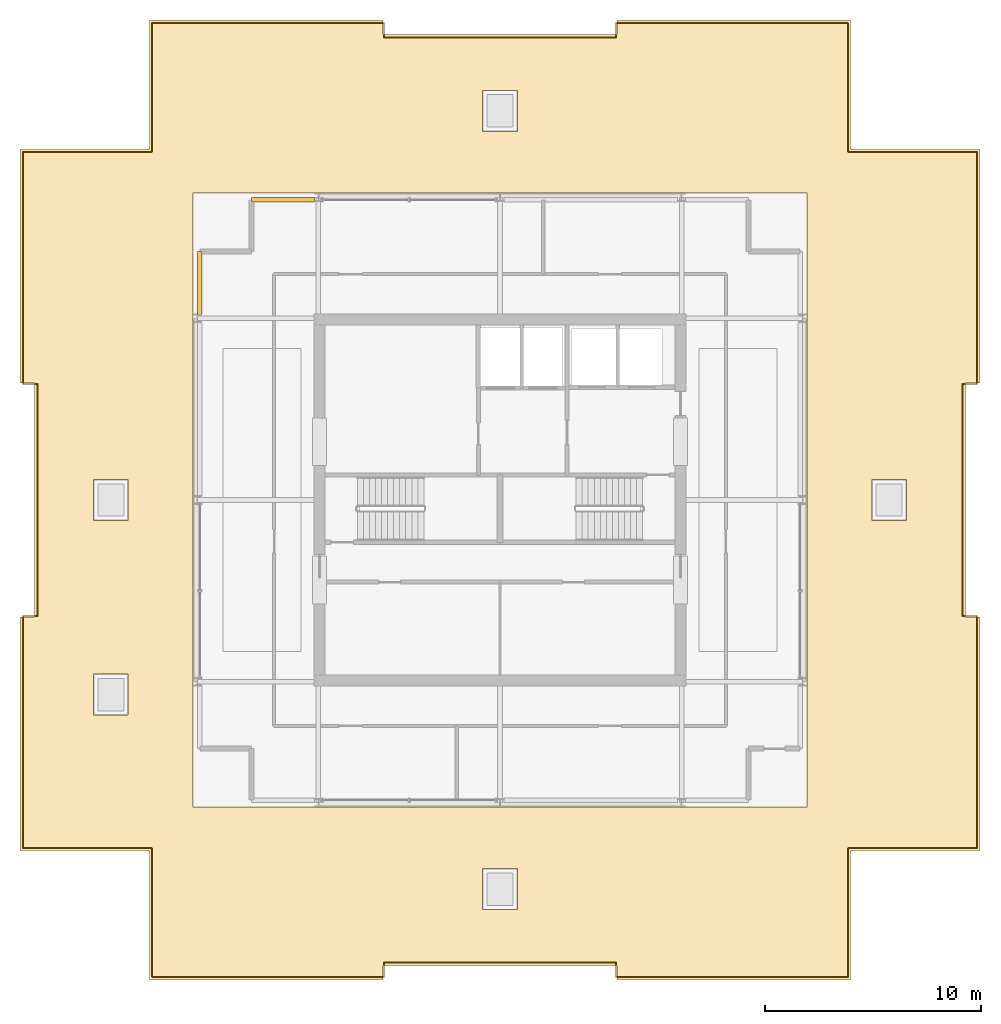
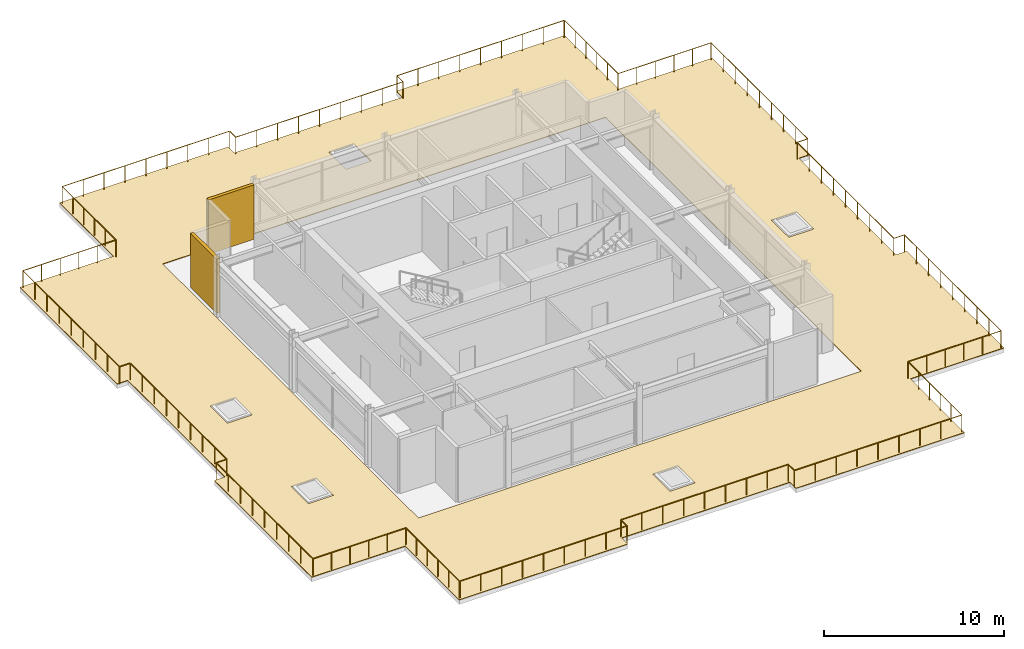
# One storey, part 16 of 17: 2 railings, 2 shading devices, 1 covering.
"""IFC4 building model written with IfcOpenShell, lengths in metres."""

from ifc_helpers import new_model, si_unit, direction, frame, origin, origin_2d, place, context, subcontext, project, spatial, polyline, rectangle, circle, outline, extrude, material, layer, layer_set, type_object, element, save


model = new_model("IFC4")

# Units and contexts
model_context = context("Model", 3, precision=1e-05, world=origin(), true_north=direction((0.0, 1.0)))
body_context = subcontext(model_context, "Body", "Model", "MODEL_VIEW")
ifc_project = project(units=[si_unit("LENGTHUNIT", "METRE"), si_unit("AREAUNIT", "SQUARE_METRE"), si_unit("VOLUMEUNIT", "CUBIC_METRE"), si_unit("PLANEANGLEUNIT", "RADIAN"), si_unit("MASSUNIT", "GRAM", prefix="KILO")], contexts=[model_context])

# Site, building, storey
site_placement = place(None, origin())
site = spatial("IfcSite", under=ifc_project, at=site_placement, CompositionType="ELEMENT")
building_placement = place(site_placement, origin())
building = spatial("IfcBuilding", under=site, at=building_placement, Name="Drelvath Grand Hotel", CompositionType="ELEMENT")
storey_placement = place(building_placement, frame((0.0, 0.0, 311.39990234375)))
storey = spatial("IfcBuildingStorey", under=building, at=storey_placement, Name="L81", CompositionType="ELEMENT", Elevation=311.39990234375)

# Shading devices
ifc_material_1 = material(Name="Platinum-Mist Anodised Aluminium Louvre", Category="aluminium")
ifc_layer_1 = layer(ifc_material_1, 0.199951171875)
ifc_layer_set_1 = layer_set([ifc_layer_1], Name="Platinum-Mist Anodised Aluminium Louvre")
shading_device_type = type_object("IfcShadingDeviceType", Name="Crown Drum Screened Acoustic Louvre 200", PredefinedType="USERDEFINED", material=ifc_layer_set_1)
shading_device_1_placement = place(storey_placement, frame((-13.8798828125, 37.041015625, 0.0), z_axis=(0.0, 0.0, 1.0), x_axis=(0.0, 1.0, 0.0)))
element("IfcShadingDevice", 1, at=shading_device_1_placement, inside=storey, type_object=shading_device_type, Name="L81 Crown Drum Acoustic Louvre W-4", ObjectType="LOUVRE", PredefinedType="USERDEFINED", context=body_context, shape_type="SweptSolid", body=[
    extrude(rectangle(XDim=2.917724609375, YDim=0.199951171875, at=origin_2d()), origin(), (0.0, 0.0, 1.0), 3.679931640625),
])
shading_device_2_placement = place(storey_placement, frame((-10.04150390625, 40.8798828125, 0.0), z_axis=(0.0, 0.0, 1.0), x_axis=(1.0, 0.0, 0.0)))
element("IfcShadingDevice", 2, at=shading_device_2_placement, inside=storey, type_object=shading_device_type, Name="L81 Crown Drum Acoustic Louvre N-1", ObjectType="LOUVRE", PredefinedType="USERDEFINED", context=body_context, shape_type="SweptSolid", body=[
    extrude(rectangle(XDim=2.9169921875, YDim=0.199951171875, at=origin_2d()), origin(), (0.0, 0.0, 1.0), 3.679931640625),
])

# Railings
ifc_material_2 = material(Name="Stainless Steel Grade 316 Guardrail", Category="steel")
railing_type = type_object("IfcRailingType", Name="Open Wind-Slot Perimeter Guardrail 1200", PredefinedType="GUARDRAIL", material=ifc_material_2)
railing_1_placement = place(storey_placement, frame((-16.078857421875, 4.93310546875, 0.0)))
element("IfcRailing", 3, at=railing_1_placement, inside=storey, type_object=railing_type, Name="L81 Setback Roof Perimeter Maintenance Guardrail A", PredefinedType="GUARDRAIL", context=body_context, shape_type="SweptSolid", body=[
    extrude(circle(Radius=0.02392578125, at=origin_2d()), frame((0.0, 0.0, 1.17578125), z_axis=(1.0, 0.0, 0.0), x_axis=(0.0, 1.0, 0.0)), (0.0, 0.0, 1.0), 10.711181640625),
    extrude(circle(Radius=0.02392578125, at=origin_2d()), frame((10.711181640625, 0.0, 1.17578125), z_axis=(0.0, 1.0, 0.0), x_axis=(-1.0, 0.0, 0.0)), (0.0, 0.0, 1.0), 0.676025390625),
    extrude(circle(Radius=0.02392578125, at=origin_2d()), frame((10.711181640625, 0.676025390625, 1.17578125), z_axis=(1.0, 0.0, 0.0), x_axis=(0.0, 1.0, 0.0)), (0.0, 0.0, 1.0), 10.7353515625),
    extrude(circle(Radius=0.02392578125, at=origin_2d()), frame((21.446533203125, 0.676025390625, 1.17578125), z_axis=(0.0, -1.0, 0.0), x_axis=(1.0, 0.0, 0.0)), (0.0, 0.0, 1.0), 0.676025390625),
    extrude(circle(Radius=0.02392578125, at=origin_2d()), frame((21.446533203125, 0.0, 1.17578125), z_axis=(1.0, 0.0, 0.0), x_axis=(0.0, 1.0, 0.0)), (0.0, 0.0, 1.0), 10.735107421875),
    extrude(circle(Radius=0.02392578125, at=origin_2d()), frame((32.181640625, 0.0, 1.17578125), z_axis=(0.0, 1.0, 0.0), x_axis=(-1.0, 0.0, 0.0)), (0.0, 0.0, 1.0), 5.964111328125),
    extrude(circle(Radius=0.02392578125, at=origin_2d()), frame((32.181640625, 5.964111328125, 1.17578125), z_axis=(1.0, 0.0, 0.0), x_axis=(0.0, 1.0, 0.0)), (0.0, 0.0, 1.0), 5.964111328125),
    extrude(circle(Radius=0.02392578125, at=origin_2d()), frame((38.145751953125, 5.964111328125, 1.17578125), z_axis=(0.0, 1.0, 0.0), x_axis=(-1.0, 0.0, 0.0)), (0.0, 0.0, 1.0), 10.735107421875),
    extrude(circle(Radius=0.02392578125, at=origin_2d()), frame((38.145751953125, 16.69921875, 1.17578125), z_axis=(-1.0, 0.0, 0.0), x_axis=(0.0, -1.0, 0.0)), (0.0, 0.0, 1.0), 0.676025390625),
    extrude(circle(Radius=0.02392578125, at=origin_2d()), frame((37.4697265625, 16.69921875, 1.17578125), z_axis=(0.0, 1.0, 0.0), x_axis=(-1.0, 0.0, 0.0)), (0.0, 0.0, 1.0), 10.7353515625),
    extrude(circle(Radius=0.02392578125, at=origin_2d()), frame((37.4697265625, 27.4345703125, 1.17578125), z_axis=(1.0, 0.0, 0.0), x_axis=(0.0, 1.0, 0.0)), (0.0, 0.0, 1.0), 0.676025390625),
    extrude(circle(Radius=0.02392578125, at=origin_2d()), frame((38.145751953125, 27.4345703125, 1.17578125), z_axis=(0.0, 1.0, 0.0), x_axis=(-1.0, 0.0, 0.0)), (0.0, 0.0, 1.0), 10.735107421875),
    extrude(circle(Radius=0.02392578125, at=origin_2d()), frame((38.145751953125, 38.169677734375, 1.17578125), z_axis=(-1.0, 0.0, 0.0), x_axis=(0.0, -1.0, 0.0)), (0.0, 0.0, 1.0), 5.964111328125),
    extrude(circle(Radius=0.02392578125, at=origin_2d()), frame((32.181640625, 38.169677734375, 1.17578125), z_axis=(0.0, 1.0, 0.0), x_axis=(-1.0, 0.0, 0.0)), (0.0, 0.0, 1.0), 5.93994140625),
    extrude(circle(Radius=0.02099609375, at=origin_2d()), origin(), (0.0, 0.0, 1.0), 1.15185546875),
    extrude(circle(Radius=0.02099609375, at=origin_2d()), frame((1.3388671875, 0.0, 0.0)), (0.0, 0.0, 1.0), 1.15185546875),
    extrude(circle(Radius=0.02099609375, at=origin_2d()), frame((2.677734375, 0.0, 0.0)), (0.0, 0.0, 1.0), 1.15185546875),
    extrude(circle(Radius=0.02099609375, at=origin_2d()), frame((4.0166015625, 0.0, 0.0)), (0.0, 0.0, 1.0), 1.15185546875),
    extrude(circle(Radius=0.02099609375, at=origin_2d()), frame((5.35546875, 0.0, 0.0)), (0.0, 0.0, 1.0), 1.15185546875),
    extrude(circle(Radius=0.02099609375, at=origin_2d()), frame((6.694580078125, 0.0, 0.0)), (0.0, 0.0, 1.0), 1.15185546875),
    extrude(circle(Radius=0.02099609375, at=origin_2d()), frame((8.033447265625, 0.0, 0.0)), (0.0, 0.0, 1.0), 1.15185546875),
    extrude(circle(Radius=0.02099609375, at=origin_2d()), frame((9.372314453125, 0.0, 0.0)), (0.0, 0.0, 1.0), 1.15185546875),
    extrude(circle(Radius=0.02099609375, at=origin_2d()), frame((10.711181640625, 0.0, 0.0)), (0.0, 0.0, 1.0), 1.15185546875),
    extrude(circle(Radius=0.02099609375, at=origin_2d()), frame((10.711181640625, 0.676025390625, 0.0)), (0.0, 0.0, 1.0), 1.15185546875),
    extrude(circle(Radius=0.02099609375, at=origin_2d()), frame((12.05322265625, 0.676025390625, 0.0)), (0.0, 0.0, 1.0), 1.15185546875),
    extrude(circle(Radius=0.02099609375, at=origin_2d()), frame((13.39501953125, 0.676025390625, 0.0)), (0.0, 0.0, 1.0), 1.15185546875),
    extrude(circle(Radius=0.02099609375, at=origin_2d()), frame((14.73681640625, 0.676025390625, 0.0)), (0.0, 0.0, 1.0), 1.15185546875),
    extrude(circle(Radius=0.02099609375, at=origin_2d()), frame((16.078857421875, 0.676025390625, 0.0)), (0.0, 0.0, 1.0), 1.15185546875),
    extrude(circle(Radius=0.02099609375, at=origin_2d()), frame((17.4208984375, 0.676025390625, 0.0)), (0.0, 0.0, 1.0), 1.15185546875),
    extrude(circle(Radius=0.02099609375, at=origin_2d()), frame((18.7626953125, 0.676025390625, 0.0)), (0.0, 0.0, 1.0), 1.15185546875),
    extrude(circle(Radius=0.02099609375, at=origin_2d()), frame((20.1044921875, 0.676025390625, 0.0)), (0.0, 0.0, 1.0), 1.15185546875),
    extrude(circle(Radius=0.02099609375, at=origin_2d()), frame((21.446533203125, 0.676025390625, 0.0)), (0.0, 0.0, 1.0), 1.15185546875),
    extrude(circle(Radius=0.02099609375, at=origin_2d()), frame((21.446533203125, 0.0, 0.0)), (0.0, 0.0, 1.0), 1.15185546875),
    extrude(circle(Radius=0.02099609375, at=origin_2d()), frame((22.788330078125, 0.0, 0.0)), (0.0, 0.0, 1.0), 1.15185546875),
    extrude(circle(Radius=0.02099609375, at=origin_2d()), frame((24.13037109375, 0.0, 0.0)), (0.0, 0.0, 1.0), 1.15185546875),
    extrude(circle(Radius=0.02099609375, at=origin_2d()), frame((25.47216796875, 0.0, 0.0)), (0.0, 0.0, 1.0), 1.15185546875),
    extrude(circle(Radius=0.02099609375, at=origin_2d()), frame((26.81396484375, 0.0, 0.0)), (0.0, 0.0, 1.0), 1.15185546875),
    extrude(circle(Radius=0.02099609375, at=origin_2d()), frame((28.156005859375, 0.0, 0.0)), (0.0, 0.0, 1.0), 1.15185546875),
    extrude(circle(Radius=0.02099609375, at=origin_2d()), frame((29.497802734375, 0.0, 0.0)), (0.0, 0.0, 1.0), 1.15185546875),
    extrude(circle(Radius=0.02099609375, at=origin_2d()), frame((30.83984375, 0.0, 0.0)), (0.0, 0.0, 1.0), 1.15185546875),
    extrude(circle(Radius=0.02099609375, at=origin_2d()), frame((32.181640625, 0.0, 0.0)), (0.0, 0.0, 1.0), 1.15185546875),
    extrude(circle(Radius=0.02099609375, at=origin_2d()), frame((32.181640625, 1.19287109375, 0.0)), (0.0, 0.0, 1.0), 1.15185546875),
    extrude(circle(Radius=0.02099609375, at=origin_2d()), frame((32.181640625, 2.3857421875, 0.0)), (0.0, 0.0, 1.0), 1.15185546875),
    extrude(circle(Radius=0.02099609375, at=origin_2d()), frame((32.181640625, 3.578369140625, 0.0)), (0.0, 0.0, 1.0), 1.15185546875),
    extrude(circle(Radius=0.02099609375, at=origin_2d()), frame((32.181640625, 4.771240234375, 0.0)), (0.0, 0.0, 1.0), 1.15185546875),
    extrude(circle(Radius=0.02099609375, at=origin_2d()), frame((32.181640625, 5.964111328125, 0.0)), (0.0, 0.0, 1.0), 1.15185546875),
    extrude(circle(Radius=0.02099609375, at=origin_2d()), frame((33.37451171875, 5.964111328125, 0.0)), (0.0, 0.0, 1.0), 1.15185546875),
    extrude(circle(Radius=0.02099609375, at=origin_2d()), frame((34.5673828125, 5.964111328125, 0.0)), (0.0, 0.0, 1.0), 1.15185546875),
    extrude(circle(Radius=0.02099609375, at=origin_2d()), frame((35.760009765625, 5.964111328125, 0.0)), (0.0, 0.0, 1.0), 1.15185546875),
    extrude(circle(Radius=0.02099609375, at=origin_2d()), frame((36.952880859375, 5.964111328125, 0.0)), (0.0, 0.0, 1.0), 1.15185546875),
    extrude(circle(Radius=0.02099609375, at=origin_2d()), frame((38.145751953125, 5.964111328125, 0.0)), (0.0, 0.0, 1.0), 1.15185546875),
    extrude(circle(Radius=0.02099609375, at=origin_2d()), frame((38.145751953125, 7.305908203125, 0.0)), (0.0, 0.0, 1.0), 1.15185546875),
    extrude(circle(Radius=0.02099609375, at=origin_2d()), frame((38.145751953125, 8.64794921875, 0.0)), (0.0, 0.0, 1.0), 1.15185546875),
    extrude(circle(Radius=0.02099609375, at=origin_2d()), frame((38.145751953125, 9.98974609375, 0.0)), (0.0, 0.0, 1.0), 1.15185546875),
    extrude(circle(Radius=0.02099609375, at=origin_2d()), frame((38.145751953125, 11.33154296875, 0.0)), (0.0, 0.0, 1.0), 1.15185546875),
    extrude(circle(Radius=0.02099609375, at=origin_2d()), frame((38.145751953125, 12.673583984375, 0.0)), (0.0, 0.0, 1.0), 1.15185546875),
    extrude(circle(Radius=0.02099609375, at=origin_2d()), frame((38.145751953125, 14.015380859375, 0.0)), (0.0, 0.0, 1.0), 1.15185546875),
    extrude(circle(Radius=0.02099609375, at=origin_2d()), frame((38.145751953125, 15.357421875, 0.0)), (0.0, 0.0, 1.0), 1.15185546875),
    extrude(circle(Radius=0.02099609375, at=origin_2d()), frame((38.145751953125, 16.69921875, 0.0)), (0.0, 0.0, 1.0), 1.15185546875),
    extrude(circle(Radius=0.02099609375, at=origin_2d()), frame((37.4697265625, 16.69921875, 0.0)), (0.0, 0.0, 1.0), 1.15185546875),
    extrude(circle(Radius=0.02099609375, at=origin_2d()), frame((37.4697265625, 18.041015625, 0.0)), (0.0, 0.0, 1.0), 1.15185546875),
    extrude(circle(Radius=0.02099609375, at=origin_2d()), frame((37.4697265625, 19.383056640625, 0.0)), (0.0, 0.0, 1.0), 1.15185546875),
    extrude(circle(Radius=0.02099609375, at=origin_2d()), frame((37.4697265625, 20.72509765625, 0.0)), (0.0, 0.0, 1.0), 1.15185546875),
    extrude(circle(Radius=0.02099609375, at=origin_2d()), frame((37.4697265625, 22.06689453125, 0.0)), (0.0, 0.0, 1.0), 1.15185546875),
    extrude(circle(Radius=0.02099609375, at=origin_2d()), frame((37.4697265625, 23.40869140625, 0.0)), (0.0, 0.0, 1.0), 1.15185546875),
    extrude(circle(Radius=0.02099609375, at=origin_2d()), frame((37.4697265625, 24.750732421875, 0.0)), (0.0, 0.0, 1.0), 1.15185546875),
    extrude(circle(Radius=0.02099609375, at=origin_2d()), frame((37.4697265625, 26.0927734375, 0.0)), (0.0, 0.0, 1.0), 1.15185546875),
    extrude(circle(Radius=0.02099609375, at=origin_2d()), frame((37.4697265625, 27.4345703125, 0.0)), (0.0, 0.0, 1.0), 1.15185546875),
    extrude(circle(Radius=0.02099609375, at=origin_2d()), frame((38.145751953125, 27.4345703125, 0.0)), (0.0, 0.0, 1.0), 1.15185546875),
    extrude(circle(Radius=0.02099609375, at=origin_2d()), frame((38.145751953125, 28.7763671875, 0.0)), (0.0, 0.0, 1.0), 1.15185546875),
    extrude(circle(Radius=0.02099609375, at=origin_2d()), frame((38.145751953125, 30.118408203125, 0.0)), (0.0, 0.0, 1.0), 1.15185546875),
    extrude(circle(Radius=0.02099609375, at=origin_2d()), frame((38.145751953125, 31.460205078125, 0.0)), (0.0, 0.0, 1.0), 1.15185546875),
    extrude(circle(Radius=0.02099609375, at=origin_2d()), frame((38.145751953125, 32.80224609375, 0.0)), (0.0, 0.0, 1.0), 1.15185546875),
    extrude(circle(Radius=0.02099609375, at=origin_2d()), frame((38.145751953125, 34.14404296875, 0.0)), (0.0, 0.0, 1.0), 1.15185546875),
    extrude(circle(Radius=0.02099609375, at=origin_2d()), frame((38.145751953125, 35.48583984375, 0.0)), (0.0, 0.0, 1.0), 1.15185546875),
    extrude(circle(Radius=0.02099609375, at=origin_2d()), frame((38.145751953125, 36.827880859375, 0.0)), (0.0, 0.0, 1.0), 1.15185546875),
    extrude(circle(Radius=0.02099609375, at=origin_2d()), frame((38.145751953125, 38.169677734375, 0.0)), (0.0, 0.0, 1.0), 1.15185546875),
    extrude(circle(Radius=0.02099609375, at=origin_2d()), frame((36.952880859375, 38.169677734375, 0.0)), (0.0, 0.0, 1.0), 1.15185546875),
    extrude(circle(Radius=0.02099609375, at=origin_2d()), frame((35.760009765625, 38.169677734375, 0.0)), (0.0, 0.0, 1.0), 1.15185546875),
    extrude(circle(Radius=0.02099609375, at=origin_2d()), frame((34.5673828125, 38.169677734375, 0.0)), (0.0, 0.0, 1.0), 1.15185546875),
    extrude(circle(Radius=0.02099609375, at=origin_2d()), frame((33.37451171875, 38.169677734375, 0.0)), (0.0, 0.0, 1.0), 1.15185546875),
    extrude(circle(Radius=0.02099609375, at=origin_2d()), frame((32.181640625, 38.169677734375, 0.0)), (0.0, 0.0, 1.0), 1.15185546875),
    extrude(circle(Radius=0.02099609375, at=origin_2d()), frame((32.181640625, 39.357666015625, 0.0)), (0.0, 0.0, 1.0), 1.15185546875),
    extrude(circle(Radius=0.02099609375, at=origin_2d()), frame((32.181640625, 40.545654296875, 0.0)), (0.0, 0.0, 1.0), 1.15185546875),
    extrude(circle(Radius=0.02099609375, at=origin_2d()), frame((32.181640625, 41.733642578125, 0.0)), (0.0, 0.0, 1.0), 1.15185546875),
    extrude(circle(Radius=0.02099609375, at=origin_2d()), frame((32.181640625, 42.921630859375, 0.0)), (0.0, 0.0, 1.0), 1.15185546875),
    extrude(circle(Radius=0.02099609375, at=origin_2d()), frame((32.181640625, 44.109619140625, 0.0)), (0.0, 0.0, 1.0), 1.15185546875),
])
railing_2_placement = place(storey_placement, frame((16.078857421875, 49.06689453125, 0.0)))
element("IfcRailing", 4, at=railing_2_placement, inside=storey, type_object=railing_type, Name="L81 Setback Roof Perimeter Maintenance Guardrail B", PredefinedType="GUARDRAIL", context=body_context, shape_type="SweptSolid", body=[
    extrude(circle(Radius=0.02392578125, at=origin_2d()), frame((0.0, 0.0, 1.17578125), z_axis=(-1.0, 0.0, 0.0), x_axis=(0.0, -1.0, 0.0)), (0.0, 0.0, 1.0), 10.711181640625),
    extrude(circle(Radius=0.02392578125, at=origin_2d()), frame((-10.711181640625, 0.0, 1.17578125), z_axis=(0.0, -1.0, 0.0), x_axis=(1.0, 0.0, 0.0)), (0.0, 0.0, 1.0), 0.676025390625),
    extrude(circle(Radius=0.02392578125, at=origin_2d()), frame((-10.711181640625, -0.676025390625, 1.17578125), z_axis=(-1.0, 0.0, 0.0), x_axis=(0.0, -1.0, 0.0)), (0.0, 0.0, 1.0), 10.7353515625),
    extrude(circle(Radius=0.02392578125, at=origin_2d()), frame((-21.446533203125, -0.676025390625, 1.17578125), z_axis=(0.0, 1.0, 0.0), x_axis=(-1.0, 0.0, 0.0)), (0.0, 0.0, 1.0), 0.676025390625),
    extrude(circle(Radius=0.02392578125, at=origin_2d()), frame((-21.446533203125, 0.0, 1.17578125), z_axis=(-1.0, 0.0, 0.0), x_axis=(0.0, -1.0, 0.0)), (0.0, 0.0, 1.0), 10.735107421875),
    extrude(circle(Radius=0.02392578125, at=origin_2d()), frame((-32.181640625, 0.0, 1.17578125), z_axis=(0.0, -1.0, 0.0), x_axis=(1.0, 0.0, 0.0)), (0.0, 0.0, 1.0), 5.964111328125),
    extrude(circle(Radius=0.02392578125, at=origin_2d()), frame((-32.181640625, -5.964111328125, 1.17578125), z_axis=(-1.0, 0.0, 0.0), x_axis=(0.0, -1.0, 0.0)), (0.0, 0.0, 1.0), 5.964111328125),
    extrude(circle(Radius=0.02392578125, at=origin_2d()), frame((-38.145751953125, -5.964111328125, 1.17578125), z_axis=(0.0, -1.0, 0.0), x_axis=(1.0, 0.0, 0.0)), (0.0, 0.0, 1.0), 10.735107421875),
    extrude(circle(Radius=0.02392578125, at=origin_2d()), frame((-38.145751953125, -16.69921875, 1.17578125), z_axis=(1.0, 0.0, 0.0), x_axis=(0.0, 1.0, 0.0)), (0.0, 0.0, 1.0), 0.676025390625),
    extrude(circle(Radius=0.02392578125, at=origin_2d()), frame((-37.4697265625, -16.69921875, 1.17578125), z_axis=(0.0, -1.0, 0.0), x_axis=(1.0, 0.0, 0.0)), (0.0, 0.0, 1.0), 10.7353515625),
    extrude(circle(Radius=0.02392578125, at=origin_2d()), frame((-37.4697265625, -27.4345703125, 1.17578125), z_axis=(-1.0, 0.0, 0.0), x_axis=(0.0, -1.0, 0.0)), (0.0, 0.0, 1.0), 0.676025390625),
    extrude(circle(Radius=0.02392578125, at=origin_2d()), frame((-38.145751953125, -27.4345703125, 1.17578125), z_axis=(0.0, -1.0, 0.0), x_axis=(1.0, 0.0, 0.0)), (0.0, 0.0, 1.0), 10.735107421875),
    extrude(circle(Radius=0.02392578125, at=origin_2d()), frame((-38.145751953125, -38.169677734375, 1.17578125), z_axis=(1.0, 0.0, 0.0), x_axis=(0.0, 1.0, 0.0)), (0.0, 0.0, 1.0), 5.964111328125),
    extrude(circle(Radius=0.02392578125, at=origin_2d()), frame((-32.181640625, -38.169677734375, 1.17578125), z_axis=(0.0, -1.0, 0.0), x_axis=(1.0, 0.0, 0.0)), (0.0, 0.0, 1.0), 5.93994140625),
    extrude(circle(Radius=0.02099609375, at=origin_2d()), origin(), (0.0, 0.0, 1.0), 1.15185546875),
    extrude(circle(Radius=0.02099609375, at=origin_2d()), frame((-1.3388671875, 0.0, 0.0)), (0.0, 0.0, 1.0), 1.15185546875),
    extrude(circle(Radius=0.02099609375, at=origin_2d()), frame((-2.677734375, 0.0, 0.0)), (0.0, 0.0, 1.0), 1.15185546875),
    extrude(circle(Radius=0.02099609375, at=origin_2d()), frame((-4.0166015625, 0.0, 0.0)), (0.0, 0.0, 1.0), 1.15185546875),
    extrude(circle(Radius=0.02099609375, at=origin_2d()), frame((-5.35546875, 0.0, 0.0)), (0.0, 0.0, 1.0), 1.15185546875),
    extrude(circle(Radius=0.02099609375, at=origin_2d()), frame((-6.694580078125, 0.0, 0.0)), (0.0, 0.0, 1.0), 1.15185546875),
    extrude(circle(Radius=0.02099609375, at=origin_2d()), frame((-8.033447265625, 0.0, 0.0)), (0.0, 0.0, 1.0), 1.15185546875),
    extrude(circle(Radius=0.02099609375, at=origin_2d()), frame((-9.372314453125, 0.0, 0.0)), (0.0, 0.0, 1.0), 1.15185546875),
    extrude(circle(Radius=0.02099609375, at=origin_2d()), frame((-10.711181640625, 0.0, 0.0)), (0.0, 0.0, 1.0), 1.15185546875),
    extrude(circle(Radius=0.02099609375, at=origin_2d()), frame((-10.711181640625, -0.676025390625, 0.0)), (0.0, 0.0, 1.0), 1.15185546875),
    extrude(circle(Radius=0.02099609375, at=origin_2d()), frame((-12.05322265625, -0.676025390625, 0.0)), (0.0, 0.0, 1.0), 1.15185546875),
    extrude(circle(Radius=0.02099609375, at=origin_2d()), frame((-13.39501953125, -0.676025390625, 0.0)), (0.0, 0.0, 1.0), 1.15185546875),
    extrude(circle(Radius=0.02099609375, at=origin_2d()), frame((-14.73681640625, -0.676025390625, 0.0)), (0.0, 0.0, 1.0), 1.15185546875),
    extrude(circle(Radius=0.02099609375, at=origin_2d()), frame((-16.078857421875, -0.676025390625, 0.0)), (0.0, 0.0, 1.0), 1.15185546875),
    extrude(circle(Radius=0.02099609375, at=origin_2d()), frame((-17.4208984375, -0.676025390625, 0.0)), (0.0, 0.0, 1.0), 1.15185546875),
    extrude(circle(Radius=0.02099609375, at=origin_2d()), frame((-18.7626953125, -0.676025390625, 0.0)), (0.0, 0.0, 1.0), 1.15185546875),
    extrude(circle(Radius=0.02099609375, at=origin_2d()), frame((-20.1044921875, -0.676025390625, 0.0)), (0.0, 0.0, 1.0), 1.15185546875),
    extrude(circle(Radius=0.02099609375, at=origin_2d()), frame((-21.446533203125, -0.676025390625, 0.0)), (0.0, 0.0, 1.0), 1.15185546875),
    extrude(circle(Radius=0.02099609375, at=origin_2d()), frame((-21.446533203125, 0.0, 0.0)), (0.0, 0.0, 1.0), 1.15185546875),
    extrude(circle(Radius=0.02099609375, at=origin_2d()), frame((-22.788330078125, 0.0, 0.0)), (0.0, 0.0, 1.0), 1.15185546875),
    extrude(circle(Radius=0.02099609375, at=origin_2d()), frame((-24.13037109375, 0.0, 0.0)), (0.0, 0.0, 1.0), 1.15185546875),
    extrude(circle(Radius=0.02099609375, at=origin_2d()), frame((-25.47216796875, 0.0, 0.0)), (0.0, 0.0, 1.0), 1.15185546875),
    extrude(circle(Radius=0.02099609375, at=origin_2d()), frame((-26.81396484375, 0.0, 0.0)), (0.0, 0.0, 1.0), 1.15185546875),
    extrude(circle(Radius=0.02099609375, at=origin_2d()), frame((-28.156005859375, 0.0, 0.0)), (0.0, 0.0, 1.0), 1.15185546875),
    extrude(circle(Radius=0.02099609375, at=origin_2d()), frame((-29.497802734375, 0.0, 0.0)), (0.0, 0.0, 1.0), 1.15185546875),
    extrude(circle(Radius=0.02099609375, at=origin_2d()), frame((-30.83984375, 0.0, 0.0)), (0.0, 0.0, 1.0), 1.15185546875),
    extrude(circle(Radius=0.02099609375, at=origin_2d()), frame((-32.181640625, 0.0, 0.0)), (0.0, 0.0, 1.0), 1.15185546875),
    extrude(circle(Radius=0.02099609375, at=origin_2d()), frame((-32.181640625, -1.19287109375, 0.0)), (0.0, 0.0, 1.0), 1.15185546875),
    extrude(circle(Radius=0.02099609375, at=origin_2d()), frame((-32.181640625, -2.3857421875, 0.0)), (0.0, 0.0, 1.0), 1.15185546875),
    extrude(circle(Radius=0.02099609375, at=origin_2d()), frame((-32.181640625, -3.578369140625, 0.0)), (0.0, 0.0, 1.0), 1.15185546875),
    extrude(circle(Radius=0.02099609375, at=origin_2d()), frame((-32.181640625, -4.771240234375, 0.0)), (0.0, 0.0, 1.0), 1.15185546875),
    extrude(circle(Radius=0.02099609375, at=origin_2d()), frame((-32.181640625, -5.964111328125, 0.0)), (0.0, 0.0, 1.0), 1.15185546875),
    extrude(circle(Radius=0.02099609375, at=origin_2d()), frame((-33.37451171875, -5.964111328125, 0.0)), (0.0, 0.0, 1.0), 1.15185546875),
    extrude(circle(Radius=0.02099609375, at=origin_2d()), frame((-34.5673828125, -5.964111328125, 0.0)), (0.0, 0.0, 1.0), 1.15185546875),
    extrude(circle(Radius=0.02099609375, at=origin_2d()), frame((-35.760009765625, -5.964111328125, 0.0)), (0.0, 0.0, 1.0), 1.15185546875),
    extrude(circle(Radius=0.02099609375, at=origin_2d()), frame((-36.952880859375, -5.964111328125, 0.0)), (0.0, 0.0, 1.0), 1.15185546875),
    extrude(circle(Radius=0.02099609375, at=origin_2d()), frame((-38.145751953125, -5.964111328125, 0.0)), (0.0, 0.0, 1.0), 1.15185546875),
    extrude(circle(Radius=0.02099609375, at=origin_2d()), frame((-38.145751953125, -7.305908203125, 0.0)), (0.0, 0.0, 1.0), 1.15185546875),
    extrude(circle(Radius=0.02099609375, at=origin_2d()), frame((-38.145751953125, -8.64794921875, 0.0)), (0.0, 0.0, 1.0), 1.15185546875),
    extrude(circle(Radius=0.02099609375, at=origin_2d()), frame((-38.145751953125, -9.98974609375, 0.0)), (0.0, 0.0, 1.0), 1.15185546875),
    extrude(circle(Radius=0.02099609375, at=origin_2d()), frame((-38.145751953125, -11.33154296875, 0.0)), (0.0, 0.0, 1.0), 1.15185546875),
    extrude(circle(Radius=0.02099609375, at=origin_2d()), frame((-38.145751953125, -12.673583984375, 0.0)), (0.0, 0.0, 1.0), 1.15185546875),
    extrude(circle(Radius=0.02099609375, at=origin_2d()), frame((-38.145751953125, -14.015380859375, 0.0)), (0.0, 0.0, 1.0), 1.15185546875),
    extrude(circle(Radius=0.02099609375, at=origin_2d()), frame((-38.145751953125, -15.357421875, 0.0)), (0.0, 0.0, 1.0), 1.15185546875),
    extrude(circle(Radius=0.02099609375, at=origin_2d()), frame((-38.145751953125, -16.69921875, 0.0)), (0.0, 0.0, 1.0), 1.15185546875),
    extrude(circle(Radius=0.02099609375, at=origin_2d()), frame((-37.4697265625, -16.69921875, 0.0)), (0.0, 0.0, 1.0), 1.15185546875),
    extrude(circle(Radius=0.02099609375, at=origin_2d()), frame((-37.4697265625, -18.041015625, 0.0)), (0.0, 0.0, 1.0), 1.15185546875),
    extrude(circle(Radius=0.02099609375, at=origin_2d()), frame((-37.4697265625, -19.383056640625, 0.0)), (0.0, 0.0, 1.0), 1.15185546875),
    extrude(circle(Radius=0.02099609375, at=origin_2d()), frame((-37.4697265625, -20.72509765625, 0.0)), (0.0, 0.0, 1.0), 1.15185546875),
    extrude(circle(Radius=0.02099609375, at=origin_2d()), frame((-37.4697265625, -22.06689453125, 0.0)), (0.0, 0.0, 1.0), 1.15185546875),
    extrude(circle(Radius=0.02099609375, at=origin_2d()), frame((-37.4697265625, -23.40869140625, 0.0)), (0.0, 0.0, 1.0), 1.15185546875),
    extrude(circle(Radius=0.02099609375, at=origin_2d()), frame((-37.4697265625, -24.750732421875, 0.0)), (0.0, 0.0, 1.0), 1.15185546875),
    extrude(circle(Radius=0.02099609375, at=origin_2d()), frame((-37.4697265625, -26.0927734375, 0.0)), (0.0, 0.0, 1.0), 1.15185546875),
    extrude(circle(Radius=0.02099609375, at=origin_2d()), frame((-37.4697265625, -27.4345703125, 0.0)), (0.0, 0.0, 1.0), 1.15185546875),
    extrude(circle(Radius=0.02099609375, at=origin_2d()), frame((-38.145751953125, -27.4345703125, 0.0)), (0.0, 0.0, 1.0), 1.15185546875),
    extrude(circle(Radius=0.02099609375, at=origin_2d()), frame((-38.145751953125, -28.7763671875, 0.0)), (0.0, 0.0, 1.0), 1.15185546875),
    extrude(circle(Radius=0.02099609375, at=origin_2d()), frame((-38.145751953125, -30.118408203125, 0.0)), (0.0, 0.0, 1.0), 1.15185546875),
    extrude(circle(Radius=0.02099609375, at=origin_2d()), frame((-38.145751953125, -31.460205078125, 0.0)), (0.0, 0.0, 1.0), 1.15185546875),
    extrude(circle(Radius=0.02099609375, at=origin_2d()), frame((-38.145751953125, -32.80224609375, 0.0)), (0.0, 0.0, 1.0), 1.15185546875),
    extrude(circle(Radius=0.02099609375, at=origin_2d()), frame((-38.145751953125, -34.14404296875, 0.0)), (0.0, 0.0, 1.0), 1.15185546875),
    extrude(circle(Radius=0.02099609375, at=origin_2d()), frame((-38.145751953125, -35.48583984375, 0.0)), (0.0, 0.0, 1.0), 1.15185546875),
    extrude(circle(Radius=0.02099609375, at=origin_2d()), frame((-38.145751953125, -36.827880859375, 0.0)), (0.0, 0.0, 1.0), 1.15185546875),
    extrude(circle(Radius=0.02099609375, at=origin_2d()), frame((-38.145751953125, -38.169677734375, 0.0)), (0.0, 0.0, 1.0), 1.15185546875),
    extrude(circle(Radius=0.02099609375, at=origin_2d()), frame((-36.952880859375, -38.169677734375, 0.0)), (0.0, 0.0, 1.0), 1.15185546875),
    extrude(circle(Radius=0.02099609375, at=origin_2d()), frame((-35.760009765625, -38.169677734375, 0.0)), (0.0, 0.0, 1.0), 1.15185546875),
    extrude(circle(Radius=0.02099609375, at=origin_2d()), frame((-34.5673828125, -38.169677734375, 0.0)), (0.0, 0.0, 1.0), 1.15185546875),
    extrude(circle(Radius=0.02099609375, at=origin_2d()), frame((-33.37451171875, -38.169677734375, 0.0)), (0.0, 0.0, 1.0), 1.15185546875),
    extrude(circle(Radius=0.02099609375, at=origin_2d()), frame((-32.181640625, -38.169677734375, 0.0)), (0.0, 0.0, 1.0), 1.15185546875),
    extrude(circle(Radius=0.02099609375, at=origin_2d()), frame((-32.181640625, -39.357666015625, 0.0)), (0.0, 0.0, 1.0), 1.15185546875),
    extrude(circle(Radius=0.02099609375, at=origin_2d()), frame((-32.181640625, -40.545654296875, 0.0)), (0.0, 0.0, 1.0), 1.15185546875),
    extrude(circle(Radius=0.02099609375, at=origin_2d()), frame((-32.181640625, -41.733642578125, 0.0)), (0.0, 0.0, 1.0), 1.15185546875),
    extrude(circle(Radius=0.02099609375, at=origin_2d()), frame((-32.181640625, -42.921630859375, 0.0)), (0.0, 0.0, 1.0), 1.15185546875),
    extrude(circle(Radius=0.02099609375, at=origin_2d()), frame((-32.181640625, -44.109619140625, 0.0)), (0.0, 0.0, 1.0), 1.15185546875),
])

# Covering
ifc_material_3 = material(Name="Tapered Polyisocyanurate Waterproofing Membrane", Category="membrane")
ifc_layer_2 = layer(ifc_material_3, 0.0400390625)
ifc_layer_set_2 = layer_set([ifc_layer_2], Name="Tapered Polyisocyanurate Waterproofing Membrane")
covering_type = type_object("IfcCoveringType", Name="Tapered Insulated Roof Membrane Covering 40", PredefinedType="ROOFING", material=ifc_layer_set_2)
covering_placement = place(storey_placement, origin())
element("IfcCovering", 5, at=covering_placement, inside=storey, type_object=covering_type, Name="L81 Crown Setback Flat Roof Membrane", PredefinedType="ROOFING", context=body_context, shape_type="SweptSolid", body=[
    extrude(outline(polyline([(-16.199951171875, 4.800048828125), (-5.39990234375, 4.800048828125), (-5.39990234375, 5.47998046875), (5.39990234375, 5.47998046875), (5.39990234375, 4.800048828125), (16.199951171875, 4.800048828125), (16.199951171875, 10.800048828125), (22.199951171875, 10.800048828125), (22.199951171875, 21.60009765625), (21.52001953125, 21.60009765625), (21.52001953125, 32.39990234375), (22.199951171875, 32.39990234375), (22.199951171875, 43.199951171875), (16.199951171875, 43.199951171875), (16.199951171875, 49.199951171875), (5.39990234375, 49.199951171875), (5.39990234375, 48.52001953125), (-5.39990234375, 48.52001953125), (-5.39990234375, 49.199951171875), (-16.199951171875, 49.199951171875), (-16.199951171875, 43.199951171875), (-22.199951171875, 43.199951171875), (-22.199951171875, 32.39990234375), (-21.52001953125, 32.39990234375), (-21.52001953125, 21.60009765625), (-22.199951171875, 21.60009765625), (-22.199951171875, 10.800048828125), (-16.199951171875, 10.800048828125), (-16.199951171875, 4.800048828125)]), holes=[polyline([(-14.199951171875, 12.800048828125), (-14.199951171875, 41.199951171875), (14.199951171875, 41.199951171875), (14.199951171875, 12.800048828125), (-14.199951171875, 12.800048828125)]), polyline([(-18.800048828125, 26.050048828125), (-18.800048828125, 27.949951171875), (-17.199951171875, 27.949951171875), (-17.199951171875, 26.050048828125), (-18.800048828125, 26.050048828125)]), polyline([(17.199951171875, 26.050048828125), (17.199951171875, 27.949951171875), (18.800048828125, 27.949951171875), (18.800048828125, 26.050048828125), (17.199951171875, 26.050048828125)]), polyline([(-0.800048828125, 8.050048828125), (-0.800048828125, 9.949951171875), (0.800048828125, 9.949951171875), (0.800048828125, 8.050048828125), (-0.800048828125, 8.050048828125)]), polyline([(-0.800048828125, 44.050048828125), (-0.800048828125, 45.949951171875), (0.800048828125, 45.949951171875), (0.800048828125, 44.050048828125), (-0.800048828125, 44.050048828125)]), polyline([(-18.800048828125, 17.050048828125), (-18.800048828125, 18.949951171875), (-17.199951171875, 18.949951171875), (-17.199951171875, 17.050048828125), (-18.800048828125, 17.050048828125)])]), origin(), (0.0, 0.0, 1.0), 0.0400390625),
])

save(model, "model.ifc")
